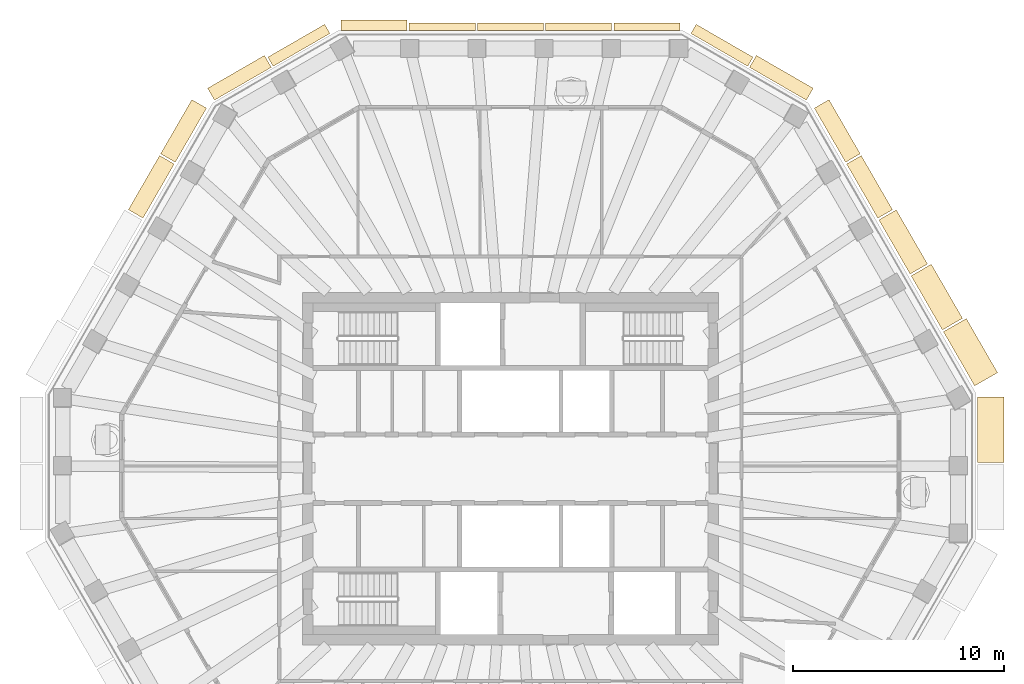
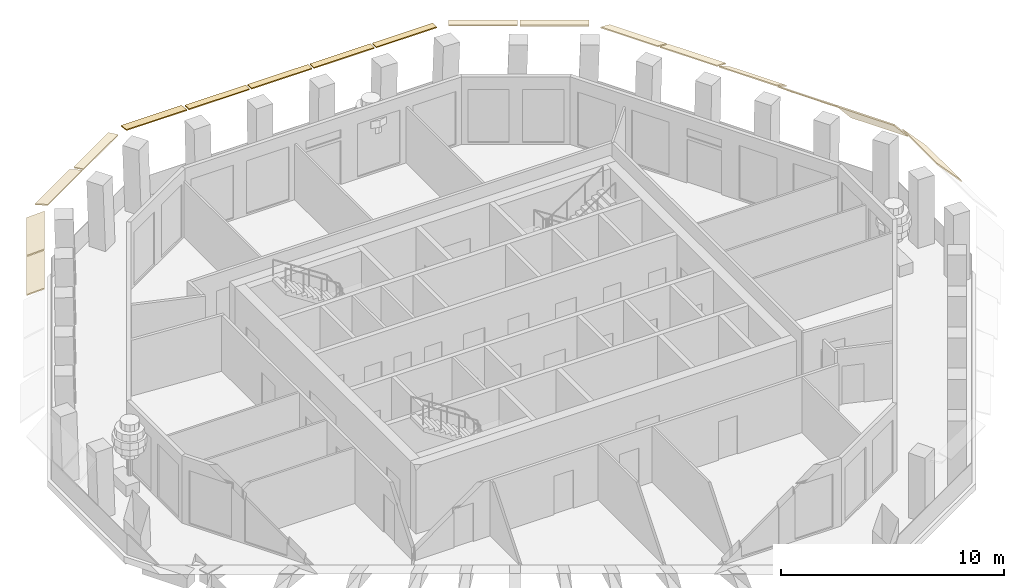
# One storey, part 9 of 11: 17 coverings.
"""IFC4 building model written with IfcOpenShell, lengths in metres."""

from ifc_helpers import new_model, si_unit, direction, frame, origin, place, context, subcontext, project, spatial, polyline, outline, extrude, material, layer, layer_set, type_object, element, save


model = new_model("IFC4")

# Units and contexts
model_context = context("Model", 3, precision=1e-05, world=origin(), true_north=direction((0.0, 1.0)))
body_context = subcontext(model_context, "Body", "Model", "MODEL_VIEW")
ifc_project = project(units=[si_unit("LENGTHUNIT", "METRE"), si_unit("AREAUNIT", "SQUARE_METRE"), si_unit("VOLUMEUNIT", "CUBIC_METRE"), si_unit("PLANEANGLEUNIT", "RADIAN"), si_unit("MASSUNIT", "GRAM", prefix="KILO")], contexts=[model_context])

# Site, building, storey
site_placement = place(None, origin())
site = spatial("IfcSite", under=ifc_project, at=site_placement, CompositionType="ELEMENT")
building_placement = place(site_placement, origin())
building = spatial("IfcBuilding", under=site, at=building_placement, Name="Frailejon Research Tower", CompositionType="ELEMENT")
storey_placement = place(building_placement, frame((0.0, 0.0, 312.60009765625)))
storey = spatial("IfcBuildingStorey", under=building, at=storey_placement, Name="L69", CompositionType="ELEMENT", Elevation=312.60009765625)

# Coverings
ifc_material_1 = material(Name="Precast concrete C50/60", Category="concrete")
ifc_layer_1 = layer(ifc_material_1, 0.06005859375)
ifc_layer_set_1 = layer_set([ifc_layer_1], Name="Brim blade depth 1100")
covering_type_1 = type_object("IfcCoveringType", Name="Brim blade depth 1100", PredefinedType="CLADDING", material=ifc_layer_set_1)
covering_1_placement = place(storey_placement, frame((18.976806640625, 9.1337890625, 3.849853515625), z_axis=(0.500019782897, -0.866013981822, 0.0), x_axis=(0.866013981822, 0.500019782897, 0.0)))
element("IfcCovering", 1, at=covering_1_placement, inside=storey, type_object=covering_type_1, Name="Brim blade L69", PredefinedType="CLADDING", context=body_context, shape_type="SweptSolid", body=[
    extrude(outline(polyline([(0.0, -0.078369140625), (1.10009765625, -1.001220703125), (1.10009765625, -0.923095703125), (0.0, 0.0), (0.0, -0.078369140625)])), origin(), (0.0, 0.0, 1.0), 2.956787109375),
])
ifc_material_2 = material(Name="Precast concrete C50/60", Category="concrete")
ifc_layer_2 = layer(ifc_material_2, 0.06005859375)
ifc_layer_set_2 = layer_set([ifc_layer_2], Name="Brim blade depth 1250")
covering_type_2 = type_object("IfcCoveringType", Name="Brim blade depth 1250", PredefinedType="CLADDING", material=ifc_layer_set_2)
covering_2_placement = place(storey_placement, frame((22.122802734375, 3.407470703125, 3.849853515625), z_axis=(0.0, -1.0, 0.0), x_axis=(1.0, 0.0, 0.0)))
element("IfcCovering", 2, at=covering_2_placement, inside=storey, type_object=covering_type_2, Name="Brim blade L69", PredefinedType="CLADDING", context=body_context, shape_type="SweptSolid", body=[
    extrude(outline(polyline([(0.0, -0.0888671875), (1.25, -1.452880859375), (1.25, -1.364013671875), (0.0, 0.0), (0.0, -0.0888671875)])), origin(), (0.0, 0.0, 1.0), 3.106201171875),
])
covering_3_placement = place(storey_placement, frame((20.50537109375, 6.486572265625, 3.849853515625), z_axis=(0.499995248145, -0.866028147252, 0.0), x_axis=(0.866028147252, 0.499995248145, 0.0)))
element("IfcCovering", 3, at=covering_3_placement, inside=storey, type_object=covering_type_2, Name="Brim blade L69", PredefinedType="CLADDING", context=body_context, shape_type="SweptSolid", body=[
    extrude(outline(polyline([(0.0, -0.0888671875), (1.25, -1.452880859375), (1.25, -1.364013671875), (0.0, 0.0), (0.0, -0.0888671875)])), origin(), (0.0, 0.0, 1.0), 2.956787109375),
])
ifc_material_3 = material(Name="Precast concrete C50/60", Category="concrete")
ifc_layer_3 = layer(ifc_material_3, 0.06005859375)
ifc_layer_set_3 = layer_set([ifc_layer_3], Name="Brim blade depth 350")
covering_type_3 = type_object("IfcCoveringType", Name="Brim blade depth 350", PredefinedType="CLADDING", material=ifc_layer_set_3)
for number, where, z_axis, x_axis, name in (
    (4, (4.896484375, 20.75, 3.849853515625), (1.0, 0.0, 0.0), (0.0, 1.0, 0.0), "Brim blade L69"),
    (5, (1.66552734375, 20.75, 3.849853515625), (1.0, 0.0, 0.0), (0.0, 1.0, 0.0), "Brim blade L69"),
    (6, (-1.5654296875, 20.75, 3.849853515625), (1.0, 0.0, 0.0), (0.0, 1.0, 0.0), "Brim blade L69"),
    (7, (-4.79638671875, 20.75, 3.849853515625), (1.0, 0.0, 0.0), (0.0, 1.0, 0.0), "Brim blade L69"),
):
    element("IfcCovering", number, at=place(storey_placement, frame(where, z_axis=z_axis, x_axis=x_axis)), inside=storey, type_object=covering_type_3, Name=name, PredefinedType="CLADDING", context=body_context, shape_type="SweptSolid", body=[
        extrude(outline(polyline([(0.0, -0.06005859375), (0.35009765625, -0.06005859375), (0.35009765625, 0.0), (0.0, 0.0), (0.0, -0.06005859375)])), origin(), (0.0, 0.0, 1.0), 3.131103515625),
    ])
ifc_material_4 = material(Name="Precast concrete C50/60", Category="concrete")
ifc_layer_4 = layer(ifc_material_4, 0.06005859375)
ifc_layer_set_4 = layer_set([ifc_layer_4], Name="Brim blade depth 500")
covering_type_4 = type_object("IfcCoveringType", Name="Brim blade depth 500", PredefinedType="CLADDING", material=ifc_layer_set_4)
covering_4_placement = place(storey_placement, frame((8.5458984375, 20.611083984375, 3.849853515625), z_axis=(0.866034959906, -0.499983447946, 0.0), x_axis=(0.499983447946, 0.866034959906, 0.0)))
element("IfcCovering", 8, at=covering_4_placement, inside=storey, type_object=covering_type_4, Name="Brim blade L69", PredefinedType="CLADDING", context=body_context, shape_type="SweptSolid", body=[
    extrude(outline(polyline([(0.0, -0.060546875), (0.5, -0.130859375), (0.5, -0.0703125), (0.0, 0.0), (0.0, -0.060546875)])), origin(), (0.0, 0.0, 1.0), 3.106201171875),
])
covering_5_placement = place(storey_placement, frame((-8.027587890625, 20.75, 3.849853515625), z_axis=(1.0, 0.0, 0.0), x_axis=(0.0, 1.0, 0.0)))
element("IfcCovering", 9, at=covering_5_placement, inside=storey, type_object=covering_type_4, Name="Brim blade L69", PredefinedType="CLADDING", context=body_context, shape_type="SweptSolid", body=[
    extrude(outline(polyline([(0.0, -0.060546875), (0.5, -0.130859375), (0.5, -0.0703125), (0.0, 0.0), (0.0, -0.060546875)])), origin(), (0.0, 0.0, 1.0), 3.131103515625),
])
covering_6_placement = place(storey_placement, frame((-11.23583984375, 19.05810546875, 3.849853515625), z_axis=(0.866034959906, 0.499983447946, 0.0), x_axis=(-0.499983447946, 0.866034959906, 0.0)))
element("IfcCovering", 10, at=covering_6_placement, inside=storey, type_object=covering_type_4, Name="Brim blade L69", PredefinedType="CLADDING", context=body_context, shape_type="SweptSolid", body=[
    extrude(outline(polyline([(0.0, -0.060546875), (0.5, -0.130859375), (0.5, -0.0703125), (0.0, 0.0), (0.0, -0.060546875)])), origin(), (0.0, 0.0, 1.0), 3.106201171875),
])
ifc_material_5 = material(Name="Precast concrete C50/60", Category="concrete")
ifc_layer_5 = layer(ifc_material_5, 0.06005859375)
ifc_layer_set_5 = layer_set([ifc_layer_5], Name="Brim blade depth 650")
covering_type_5 = type_object("IfcCoveringType", Name="Brim blade depth 650", PredefinedType="CLADDING", material=ifc_layer_set_5)
for number, where, z_axis, x_axis, name in (
    (11, (11.322509765625, 19.008056640625, 3.849853515625), (0.86601365609, -0.500020347052, 0.0), (0.500020347052, 0.86601365609, 0.0), "Brim blade L69"),
    (12, (-14.01220703125, 17.455078125, 3.849853515625), (0.86601365609, 0.500020347052, 0.0), (-0.500020347052, 0.86601365609, 0.0), "Brim blade L69"),
):
    element("IfcCovering", number, at=place(storey_placement, frame(where, z_axis=z_axis, x_axis=x_axis)), inside=storey, type_object=covering_type_5, Name=name, PredefinedType="CLADDING", context=body_context, shape_type="SweptSolid", body=[
        extrude(outline(polyline([(0.0, -0.0625), (0.64990234375, -0.248779296875), (0.64990234375, -0.186279296875), (0.0, 0.0), (0.0, -0.0625)])), origin(), (0.0, 0.0, 1.0), 3.106201171875),
    ])
ifc_material_6 = material(Name="Precast concrete C50/60", Category="concrete")
ifc_layer_6 = layer(ifc_material_6, 0.06005859375)
ifc_layer_set_6 = layer_set([ifc_layer_6], Name="Brim blade depth 800")
covering_type_6 = type_object("IfcCoveringType", Name="Brim blade depth 800", PredefinedType="CLADDING", material=ifc_layer_set_6)
for number, where, z_axis, x_axis, name in (
    (13, (15.920166015625, 14.42822265625, 3.849853515625), (0.500009413801, -0.866019968656, 0.0), (0.866019968656, 0.500009413801, 0.0), "Brim blade L69"),
    (14, (14.3916015625, 17.07568359375, 3.849853515625), (0.499995248145, -0.866028147252, 0.0), (0.866028147252, 0.499995248145, 0.0), "Brim blade L69"),
    (15, (-15.8701171875, 14.514892578125, 3.849853515625), (0.499995248145, 0.866028147252, 0.0), (-0.866028147252, 0.499995248145, 0.0), "Brim blade L69"),
    (16, (-17.3984375, 11.86767578125, 3.849853515625), (0.500009413801, 0.866019968656, 0.0), (-0.866019968656, 0.500009413801, 0.0), "Brim blade L69"),
):
    element("IfcCovering", number, at=place(storey_placement, frame(where, z_axis=z_axis, x_axis=x_axis)), inside=storey, type_object=covering_type_6, Name=name, PredefinedType="CLADDING", context=body_context, shape_type="SweptSolid", body=[
        extrude(outline(polyline([(0.0, -0.065673828125), (0.800048828125, -0.421875), (0.800048828125, -0.356201171875), (0.0, 0.0), (0.0, -0.065673828125)])), origin(), (0.0, 0.0, 1.0), 2.956787109375),
    ])
ifc_material_7 = material(Name="Precast concrete C50/60", Category="concrete")
ifc_layer_7 = layer(ifc_material_7, 0.06005859375)
ifc_layer_set_7 = layer_set([ifc_layer_7], Name="Brim blade depth 950")
covering_type_7 = type_object("IfcCoveringType", Name="Brim blade depth 950", PredefinedType="CLADDING", material=ifc_layer_set_7)
covering_7_placement = place(storey_placement, frame((17.448486328125, 11.781005859375, 3.849853515625), z_axis=(0.499995248145, -0.866028147252, 0.0), x_axis=(0.866028147252, 0.499995248145, 0.0)))
element("IfcCovering", 17, at=covering_7_placement, inside=storey, type_object=covering_type_7, Name="Brim blade L69", PredefinedType="CLADDING", context=body_context, shape_type="SweptSolid", body=[
    extrude(outline(polyline([(0.0, -0.07080078125), (0.949951171875, -0.664306640625), (0.949951171875, -0.593505859375), (0.0, 0.0), (0.0, -0.07080078125)])), origin(), (0.0, 0.0, 1.0), 2.956787109375),
])

save(model, "model.ifc")
